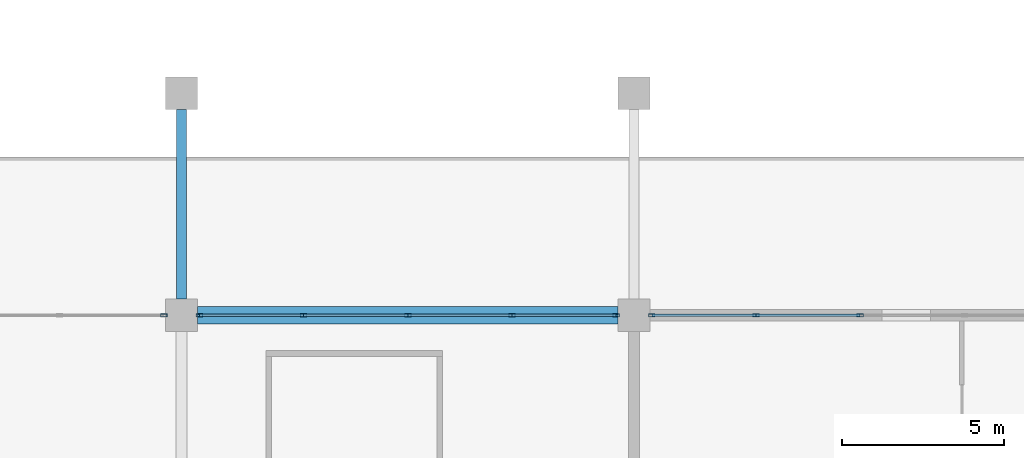
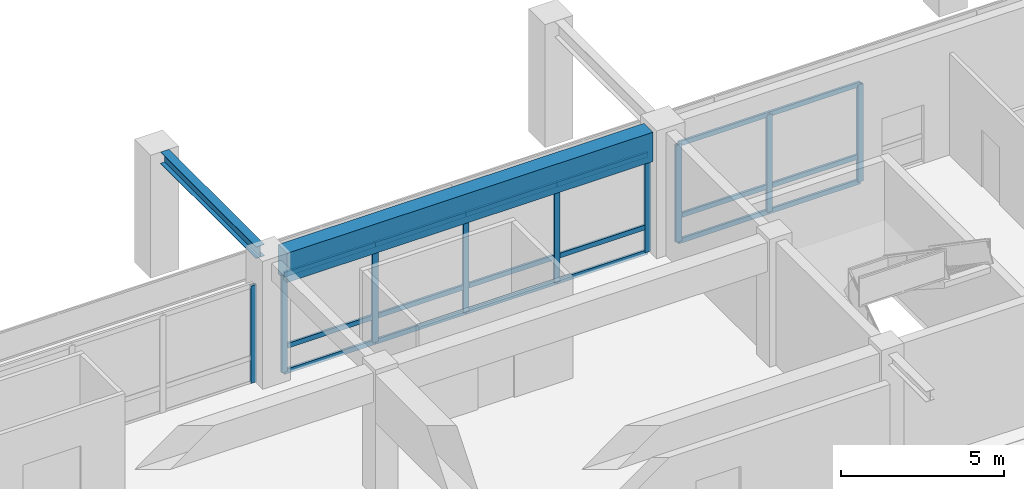
# One storey, part 25 of 91: 27 members, 2 beams, 3 elements without a shape of their own.
"""IFC4 building model written with IfcOpenShell, lengths in metres."""

from ifc_helpers import new_model, si_unit, direction, frame, origin, origin_2d, place, context, subcontext, project, spatial, rectangle, hollow_rectangle, i_section, extrude, material, material_profile, profile_set, type_object, element, aggregate, save


model = new_model("IFC4")

# Units and contexts
model_context = context("Model", 3, precision=1e-05, world=origin(), true_north=direction((0.0, 1.0)))
body_context = subcontext(model_context, "Body", "Model", "MODEL_VIEW")
ifc_project = project(units=[si_unit("LENGTHUNIT", "METRE"), si_unit("AREAUNIT", "SQUARE_METRE"), si_unit("VOLUMEUNIT", "CUBIC_METRE"), si_unit("PLANEANGLEUNIT", "RADIAN"), si_unit("MASSUNIT", "GRAM", prefix="KILO")], contexts=[model_context])

# Site, building, storey
site_placement = place(None, origin())
site = spatial("IfcSite", under=ifc_project, at=site_placement, CompositionType="ELEMENT")
building_placement = place(site_placement, origin())
building = spatial("IfcBuilding", under=site, at=building_placement, Name="Linyun Crest Stadium", CompositionType="ELEMENT")
storey_placement = place(building_placement, frame((0.0, 0.0, 11.39990234375)))
storey = spatial("IfcBuildingStorey", under=building, at=storey_placement, Name="L03", CompositionType="ELEMENT", Elevation=11.39990234375)

# Beam
ifc_material_1 = material(Name="Steel Q355C", Category="steel")
ifc_material_profile_1 = material_profile(ifc_material_1, i_section(OverallWidth=0.300048828125, OverallDepth=0.43994140625, WebThickness=0.010986328125, FlangeThickness=0.01806640625, at=origin_2d()), Name="HM 440x300")
ifc_profile_set_1 = profile_set([ifc_material_profile_1], Name="Steel Q355C")
beam_type_1 = type_object("IfcBeamType", Name="B07", PredefinedType="BEAM", material=ifc_profile_set_1)
beam_1_placement = place(storey_placement, frame((0.0, -73.0, 4.400146484375), z_axis=(0.0, 1.0, 0.0), x_axis=(-1.0, 0.0, 0.0)))
element("IfcBeam", 1, at=beam_1_placement, inside=storey, type_object=beam_type_1, Name="Frame beam B07 L03 937", PredefinedType="BEAM", context=body_context, shape_type="SweptSolid", body=[
    extrude(i_section(OverallWidth=0.300048828125, OverallDepth=0.43994140625, WebThickness=0.010986328125, FlangeThickness=0.01806640625, at=origin_2d()), origin(), (0.0, 0.0, 1.0), 5.875),
])

# Curtain wall, member
ifc_material_2 = material(Name="Verdigris steel and low-E curtain wall assembly", Category="steel")
curtain_wall_type = type_object("IfcCurtainWallType", Name="MCW02", PredefinedType="NOTDEFINED", material=ifc_material_2)
curtain_wall_1_placement = place(storey_placement, origin())
curtain_wall_1 = element("IfcCurtainWall", 2, at=curtain_wall_1_placement, inside=storey, type_object=curtain_wall_type, Name="CWR-139", PredefinedType="NOTDEFINED")
ifc_material_3 = material(Name="Verdigris painted steel Q355C mullion", Category="steel")
ifc_material_profile_2 = material_profile(ifc_material_3, hollow_rectangle(XDim=0.10009765625, YDim=0.199951171875, WallThickness=0.008056640625, at=origin_2d()), Name="RHS 200x100x8")
ifc_profile_set_2 = profile_set([ifc_material_profile_2], Name="Verdigris painted steel Q355C mullion")
member_type_1 = type_object("IfcMemberType", Name="ML03", PredefinedType="MULLION", material=ifc_profile_set_2)
member_1_placement = place(storey_placement, frame((-0.550048828125, -73.5, 0.0), z_axis=(0.0, 0.0, 1.0), x_axis=(0.0, 1.0, 0.0)))
member_1 = element("IfcMember", 3, at=member_1_placement, type_object=member_type_1, Name="CWR-139 mullion 5", PredefinedType="MULLION", context=body_context, shape_type="SweptSolid", body=[
    extrude(hollow_rectangle(XDim=0.10009765625, YDim=0.199951171875, WallThickness=0.008056640625, at=origin_2d()), origin(), (0.0, 0.0, 1.0), 3.650146484375),
])
aggregate(curtain_wall_1, [member_1])

# Curtain wall, members
curtain_wall_2_placement = place(storey_placement, origin())
curtain_wall_2 = element("IfcCurtainWall", 4, at=curtain_wall_2_placement, inside=storey, type_object=curtain_wall_type, Name="CWR-146", PredefinedType="NOTDEFINED")
member_2_placement = place(storey_placement, frame((0.550048828125, -73.5, 0.0), z_axis=(0.0, 0.0, 1.0), x_axis=(0.0, 1.0, 0.0)))
member_2 = element("IfcMember", 5, at=member_2_placement, type_object=member_type_1, Name="CWR-146 mullion 1", PredefinedType="MULLION", context=body_context, shape_type="SweptSolid", body=[
    extrude(hollow_rectangle(XDim=0.10009765625, YDim=0.199951171875, WallThickness=0.008056640625, at=origin_2d()), origin(), (0.0, 0.0, 1.0), 3.650146484375),
])
member_3_placement = place(storey_placement, frame((3.77490234375, -73.5, 0.0), z_axis=(0.0, 0.0, 1.0), x_axis=(0.0, 1.0, 0.0)))
member_3 = element("IfcMember", 6, at=member_3_placement, type_object=member_type_1, Name="CWR-146 mullion 2", PredefinedType="MULLION", context=body_context, shape_type="SweptSolid", body=[
    extrude(hollow_rectangle(XDim=0.10009765625, YDim=0.199951171875, WallThickness=0.008056640625, at=origin_2d()), origin(), (0.0, 0.0, 1.0), 3.650146484375),
])
member_4_placement = place(storey_placement, frame((7.0, -73.5, 0.0), z_axis=(0.0, 0.0, 1.0), x_axis=(0.0, 1.0, 0.0)))
member_4 = element("IfcMember", 7, at=member_4_placement, type_object=member_type_1, Name="CWR-146 mullion 3", PredefinedType="MULLION", context=body_context, shape_type="SweptSolid", body=[
    extrude(hollow_rectangle(XDim=0.10009765625, YDim=0.199951171875, WallThickness=0.008056640625, at=origin_2d()), origin(), (0.0, 0.0, 1.0), 3.650146484375),
])
member_5_placement = place(storey_placement, frame((10.22509765625, -73.5, 0.0), z_axis=(0.0, 0.0, 1.0), x_axis=(0.0, 1.0, 0.0)))
member_5 = element("IfcMember", 8, at=member_5_placement, type_object=member_type_1, Name="CWR-146 mullion 4", PredefinedType="MULLION", context=body_context, shape_type="SweptSolid", body=[
    extrude(hollow_rectangle(XDim=0.10009765625, YDim=0.199951171875, WallThickness=0.008056640625, at=origin_2d()), origin(), (0.0, 0.0, 1.0), 3.650146484375),
])
member_6_placement = place(storey_placement, frame((13.449951171875, -73.5, 0.0), z_axis=(0.0, 0.0, 1.0), x_axis=(0.0, 1.0, 0.0)))
member_6 = element("IfcMember", 9, at=member_6_placement, type_object=member_type_1, Name="CWR-146 mullion 5", PredefinedType="MULLION", context=body_context, shape_type="SweptSolid", body=[
    extrude(hollow_rectangle(XDim=0.10009765625, YDim=0.199951171875, WallThickness=0.008056640625, at=origin_2d()), origin(), (0.0, 0.0, 1.0), 3.650146484375),
])

curtain_wall_3_placement = place(storey_placement, origin())
curtain_wall_3 = element("IfcCurtainWall", 10, at=curtain_wall_3_placement, inside=storey, type_object=curtain_wall_type, Name="CWR-153", PredefinedType="NOTDEFINED")
member_7_placement = place(storey_placement, frame((14.550048828125, -73.5, 0.0), z_axis=(0.0, 0.0, 1.0), x_axis=(0.0, 1.0, 0.0)))
member_7 = element("IfcMember", 11, at=member_7_placement, type_object=member_type_1, Name="CWR-153 mullion 1", PredefinedType="MULLION", context=body_context, shape_type="SweptSolid", body=[
    extrude(hollow_rectangle(XDim=0.10009765625, YDim=0.199951171875, WallThickness=0.008056640625, at=origin_2d()), origin(), (0.0, 0.0, 1.0), 3.650146484375),
])
member_8_placement = place(storey_placement, frame((17.77490234375, -73.5, 0.0), z_axis=(0.0, 0.0, 1.0), x_axis=(0.0, 1.0, 0.0)))
member_8 = element("IfcMember", 12, at=member_8_placement, type_object=member_type_1, Name="CWR-153 mullion 2", PredefinedType="MULLION", context=body_context, shape_type="SweptSolid", body=[
    extrude(hollow_rectangle(XDim=0.10009765625, YDim=0.199951171875, WallThickness=0.008056640625, at=origin_2d()), origin(), (0.0, 0.0, 1.0), 3.650146484375),
])
member_9_placement = place(storey_placement, frame((21.0, -73.5, 0.0), z_axis=(0.0, 0.0, 1.0), x_axis=(0.0, 1.0, 0.0)))
member_9 = element("IfcMember", 13, at=member_9_placement, type_object=member_type_1, Name="CWR-153 mullion 3", PredefinedType="MULLION", context=body_context, shape_type="SweptSolid", body=[
    extrude(hollow_rectangle(XDim=0.10009765625, YDim=0.199951171875, WallThickness=0.008056640625, at=origin_2d()), origin(), (0.0, 0.0, 1.0), 3.650146484375),
])

# Beam
ifc_material_4 = material(Name="Concrete C50", Category="concrete")
ifc_material_profile_3 = material_profile(ifc_material_4, rectangle(XDim=0.550048828125, YDim=1.10009765625, at=origin_2d()), Name="RCB 1100x550")
ifc_profile_set_3 = profile_set([ifc_material_profile_3], Name="Concrete C50")
beam_type_2 = type_object("IfcBeamType", Name="TB01", PredefinedType="USERDEFINED", material=ifc_profile_set_3)
beam_2_placement = place(storey_placement, frame((0.5, -73.5, 4.070068359375), z_axis=(1.0, 0.0, 0.0), x_axis=(0.0, 1.0, 0.0)))
element("IfcBeam", 14, at=beam_2_placement, inside=storey, type_object=beam_type_2, Name="Frame beam TB01 L03 927", ObjectType="GIRDER", PredefinedType="USERDEFINED", context=body_context, shape_type="SweptSolid", body=[
    extrude(rectangle(XDim=0.550048828125, YDim=1.10009765625, at=origin_2d()), origin(), (0.0, 0.0, 1.0), 13.0),
])

# Member
ifc_material_5 = material(Name="Verdigris painted steel Q355B transom", Category="steel")
ifc_material_profile_4 = material_profile(ifc_material_5, hollow_rectangle(XDim=0.080078125, YDim=0.179931640625, WallThickness=0.006103515625, at=origin_2d()), Name="RHS 180x80x6")
ifc_profile_set_4 = profile_set([ifc_material_profile_4], Name="Verdigris painted steel Q355B transom")
member_type_2 = type_object("IfcMemberType", Name="TR02", PredefinedType="USERDEFINED", material=ifc_profile_set_4)
member_10_placement = place(storey_placement, frame((0.550048828125, -73.5, 0.0), z_axis=(1.0, 0.0, 0.0), x_axis=(0.0, 1.0, 0.0)))
member_10 = element("IfcMember", 15, at=member_10_placement, type_object=member_type_2, Name="CWR-146 transom 1.1", ObjectType="TRANSOM", PredefinedType="USERDEFINED", context=body_context, shape_type="SweptSolid", body=[
    extrude(hollow_rectangle(XDim=0.080078125, YDim=0.179931640625, WallThickness=0.006103515625, at=origin_2d()), origin(), (0.0, 0.0, 1.0), 3.224853515625),
])

member_11_placement = place(storey_placement, frame((0.550048828125, -73.5, 0.9501953125), z_axis=(1.0, 0.0, 0.0), x_axis=(0.0, 1.0, 0.0)))
member_11 = element("IfcMember", 16, at=member_11_placement, type_object=member_type_2, Name="CWR-146 transom 1.2", ObjectType="TRANSOM", PredefinedType="USERDEFINED", context=body_context, shape_type="SweptSolid", body=[
    extrude(hollow_rectangle(XDim=0.080078125, YDim=0.179931640625, WallThickness=0.006103515625, at=origin_2d()), origin(), (0.0, 0.0, 1.0), 3.224853515625),
])

member_12_placement = place(storey_placement, frame((0.550048828125, -73.5, 3.650146484375), z_axis=(1.0, 0.0, 0.0), x_axis=(0.0, 1.0, 0.0)))
member_12 = element("IfcMember", 17, at=member_12_placement, type_object=member_type_2, Name="CWR-146 transom 1.3", ObjectType="TRANSOM", PredefinedType="USERDEFINED", context=body_context, shape_type="SweptSolid", body=[
    extrude(hollow_rectangle(XDim=0.080078125, YDim=0.179931640625, WallThickness=0.006103515625, at=origin_2d()), origin(), (0.0, 0.0, 1.0), 3.224853515625),
])

member_13_placement = place(storey_placement, frame((3.77490234375, -73.5, 0.0), z_axis=(1.0, 0.0, 0.0), x_axis=(0.0, 1.0, 0.0)))
member_13 = element("IfcMember", 18, at=member_13_placement, type_object=member_type_2, Name="CWR-146 transom 2.1", ObjectType="TRANSOM", PredefinedType="USERDEFINED", context=body_context, shape_type="SweptSolid", body=[
    extrude(hollow_rectangle(XDim=0.080078125, YDim=0.179931640625, WallThickness=0.006103515625, at=origin_2d()), origin(), (0.0, 0.0, 1.0), 3.22509765625),
])

member_14_placement = place(storey_placement, frame((3.77490234375, -73.5, 0.9501953125), z_axis=(1.0, 0.0, 0.0), x_axis=(0.0, 1.0, 0.0)))
member_14 = element("IfcMember", 19, at=member_14_placement, type_object=member_type_2, Name="CWR-146 transom 2.2", ObjectType="TRANSOM", PredefinedType="USERDEFINED", context=body_context, shape_type="SweptSolid", body=[
    extrude(hollow_rectangle(XDim=0.080078125, YDim=0.179931640625, WallThickness=0.006103515625, at=origin_2d()), origin(), (0.0, 0.0, 1.0), 3.22509765625),
])

member_15_placement = place(storey_placement, frame((3.77490234375, -73.5, 3.650146484375), z_axis=(1.0, 0.0, 0.0), x_axis=(0.0, 1.0, 0.0)))
member_15 = element("IfcMember", 20, at=member_15_placement, type_object=member_type_2, Name="CWR-146 transom 2.3", ObjectType="TRANSOM", PredefinedType="USERDEFINED", context=body_context, shape_type="SweptSolid", body=[
    extrude(hollow_rectangle(XDim=0.080078125, YDim=0.179931640625, WallThickness=0.006103515625, at=origin_2d()), origin(), (0.0, 0.0, 1.0), 3.22509765625),
])

member_16_placement = place(storey_placement, frame((7.0, -73.5, 0.0), z_axis=(1.0, 0.0, 0.0), x_axis=(0.0, 1.0, 0.0)))
member_16 = element("IfcMember", 21, at=member_16_placement, type_object=member_type_2, Name="CWR-146 transom 3.1", ObjectType="TRANSOM", PredefinedType="USERDEFINED", context=body_context, shape_type="SweptSolid", body=[
    extrude(hollow_rectangle(XDim=0.080078125, YDim=0.179931640625, WallThickness=0.006103515625, at=origin_2d()), origin(), (0.0, 0.0, 1.0), 3.22509765625),
])

member_17_placement = place(storey_placement, frame((7.0, -73.5, 0.9501953125), z_axis=(1.0, 0.0, 0.0), x_axis=(0.0, 1.0, 0.0)))
member_17 = element("IfcMember", 22, at=member_17_placement, type_object=member_type_2, Name="CWR-146 transom 3.2", ObjectType="TRANSOM", PredefinedType="USERDEFINED", context=body_context, shape_type="SweptSolid", body=[
    extrude(hollow_rectangle(XDim=0.080078125, YDim=0.179931640625, WallThickness=0.006103515625, at=origin_2d()), origin(), (0.0, 0.0, 1.0), 3.22509765625),
])

member_18_placement = place(storey_placement, frame((7.0, -73.5, 3.650146484375), z_axis=(1.0, 0.0, 0.0), x_axis=(0.0, 1.0, 0.0)))
member_18 = element("IfcMember", 23, at=member_18_placement, type_object=member_type_2, Name="CWR-146 transom 3.3", ObjectType="TRANSOM", PredefinedType="USERDEFINED", context=body_context, shape_type="SweptSolid", body=[
    extrude(hollow_rectangle(XDim=0.080078125, YDim=0.179931640625, WallThickness=0.006103515625, at=origin_2d()), origin(), (0.0, 0.0, 1.0), 3.22509765625),
])

member_19_placement = place(storey_placement, frame((10.22509765625, -73.5, 0.0), z_axis=(1.0, 0.0, 0.0), x_axis=(0.0, 1.0, 0.0)))
member_19 = element("IfcMember", 24, at=member_19_placement, type_object=member_type_2, Name="CWR-146 transom 4.1", ObjectType="TRANSOM", PredefinedType="USERDEFINED", context=body_context, shape_type="SweptSolid", body=[
    extrude(hollow_rectangle(XDim=0.080078125, YDim=0.179931640625, WallThickness=0.006103515625, at=origin_2d()), origin(), (0.0, 0.0, 1.0), 3.224853515625),
])

member_20_placement = place(storey_placement, frame((10.22509765625, -73.5, 0.9501953125), z_axis=(1.0, 0.0, 0.0), x_axis=(0.0, 1.0, 0.0)))
member_20 = element("IfcMember", 25, at=member_20_placement, type_object=member_type_2, Name="CWR-146 transom 4.2", ObjectType="TRANSOM", PredefinedType="USERDEFINED", context=body_context, shape_type="SweptSolid", body=[
    extrude(hollow_rectangle(XDim=0.080078125, YDim=0.179931640625, WallThickness=0.006103515625, at=origin_2d()), origin(), (0.0, 0.0, 1.0), 3.224853515625),
])

member_21_placement = place(storey_placement, frame((10.22509765625, -73.5, 3.650146484375), z_axis=(1.0, 0.0, 0.0), x_axis=(0.0, 1.0, 0.0)))
member_21 = element("IfcMember", 26, at=member_21_placement, type_object=member_type_2, Name="CWR-146 transom 4.3", ObjectType="TRANSOM", PredefinedType="USERDEFINED", context=body_context, shape_type="SweptSolid", body=[
    extrude(hollow_rectangle(XDim=0.080078125, YDim=0.179931640625, WallThickness=0.006103515625, at=origin_2d()), origin(), (0.0, 0.0, 1.0), 3.224853515625),
])

aggregate(curtain_wall_2, [member_2, member_3, member_4, member_5, member_6, member_10, member_11, member_12, member_13, member_14, member_15, member_16, member_17, member_18, member_19, member_20, member_21])

member_22_placement = place(storey_placement, frame((14.550048828125, -73.5, 0.0), z_axis=(1.0, 0.0, 0.0), x_axis=(0.0, 1.0, 0.0)))
member_22 = element("IfcMember", 27, at=member_22_placement, type_object=member_type_2, Name="CWR-153 transom 1.1", ObjectType="TRANSOM", PredefinedType="USERDEFINED", context=body_context, shape_type="SweptSolid", body=[
    extrude(hollow_rectangle(XDim=0.080078125, YDim=0.179931640625, WallThickness=0.006103515625, at=origin_2d()), origin(), (0.0, 0.0, 1.0), 3.224853515625),
])

member_23_placement = place(storey_placement, frame((14.550048828125, -73.5, 0.9501953125), z_axis=(1.0, 0.0, 0.0), x_axis=(0.0, 1.0, 0.0)))
member_23 = element("IfcMember", 28, at=member_23_placement, type_object=member_type_2, Name="CWR-153 transom 1.2", ObjectType="TRANSOM", PredefinedType="USERDEFINED", context=body_context, shape_type="SweptSolid", body=[
    extrude(hollow_rectangle(XDim=0.080078125, YDim=0.179931640625, WallThickness=0.006103515625, at=origin_2d()), origin(), (0.0, 0.0, 1.0), 3.224853515625),
])

member_24_placement = place(storey_placement, frame((14.550048828125, -73.5, 3.650146484375), z_axis=(1.0, 0.0, 0.0), x_axis=(0.0, 1.0, 0.0)))
member_24 = element("IfcMember", 29, at=member_24_placement, type_object=member_type_2, Name="CWR-153 transom 1.3", ObjectType="TRANSOM", PredefinedType="USERDEFINED", context=body_context, shape_type="SweptSolid", body=[
    extrude(hollow_rectangle(XDim=0.080078125, YDim=0.179931640625, WallThickness=0.006103515625, at=origin_2d()), origin(), (0.0, 0.0, 1.0), 3.224853515625),
])

member_25_placement = place(storey_placement, frame((17.77490234375, -73.5, 0.0), z_axis=(1.0, 0.0, 0.0), x_axis=(0.0, 1.0, 0.0)))
member_25 = element("IfcMember", 30, at=member_25_placement, type_object=member_type_2, Name="CWR-153 transom 2.1", ObjectType="TRANSOM", PredefinedType="USERDEFINED", context=body_context, shape_type="SweptSolid", body=[
    extrude(hollow_rectangle(XDim=0.080078125, YDim=0.179931640625, WallThickness=0.006103515625, at=origin_2d()), origin(), (0.0, 0.0, 1.0), 3.22509765625),
])

member_26_placement = place(storey_placement, frame((17.77490234375, -73.5, 0.9501953125), z_axis=(1.0, 0.0, 0.0), x_axis=(0.0, 1.0, 0.0)))
member_26 = element("IfcMember", 31, at=member_26_placement, type_object=member_type_2, Name="CWR-153 transom 2.2", ObjectType="TRANSOM", PredefinedType="USERDEFINED", context=body_context, shape_type="SweptSolid", body=[
    extrude(hollow_rectangle(XDim=0.080078125, YDim=0.179931640625, WallThickness=0.006103515625, at=origin_2d()), origin(), (0.0, 0.0, 1.0), 3.22509765625),
])

member_27_placement = place(storey_placement, frame((17.77490234375, -73.5, 3.650146484375), z_axis=(1.0, 0.0, 0.0), x_axis=(0.0, 1.0, 0.0)))
member_27 = element("IfcMember", 32, at=member_27_placement, type_object=member_type_2, Name="CWR-153 transom 2.3", ObjectType="TRANSOM", PredefinedType="USERDEFINED", context=body_context, shape_type="SweptSolid", body=[
    extrude(hollow_rectangle(XDim=0.080078125, YDim=0.179931640625, WallThickness=0.006103515625, at=origin_2d()), origin(), (0.0, 0.0, 1.0), 3.22509765625),
])

aggregate(curtain_wall_3, [member_7, member_8, member_9, member_22, member_23, member_24, member_25, member_26, member_27])

save(model, "model.ifc")
